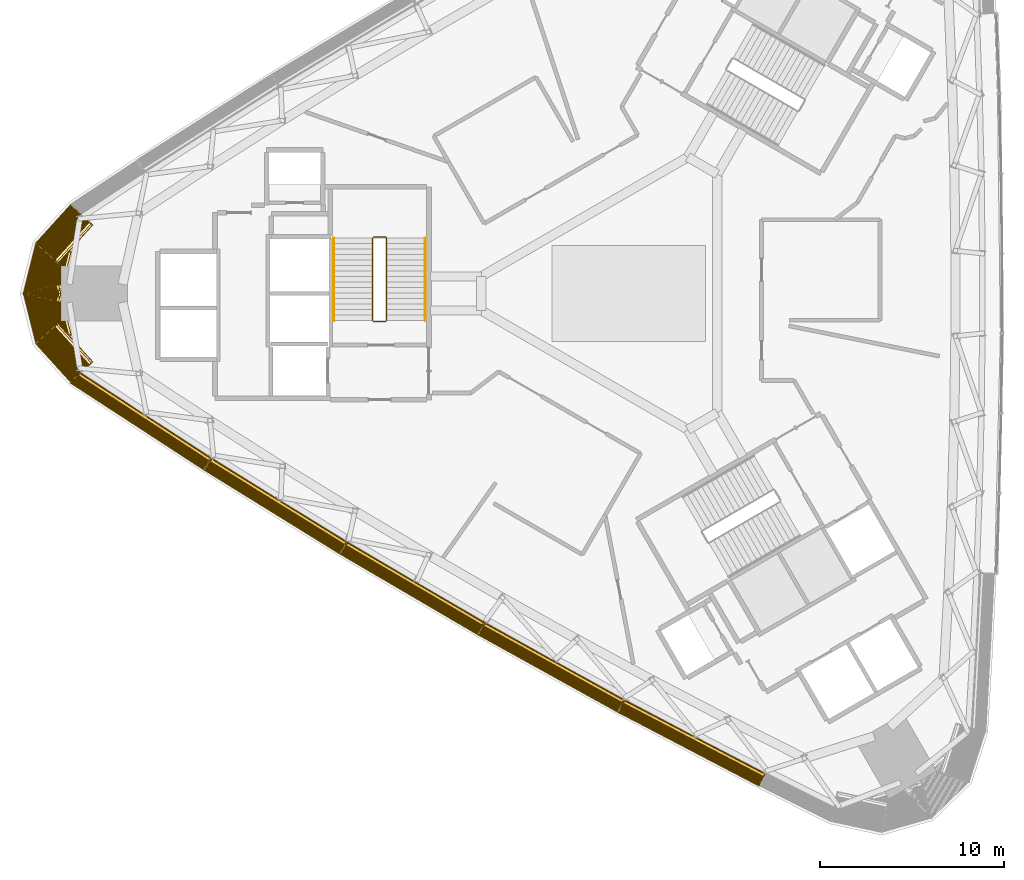
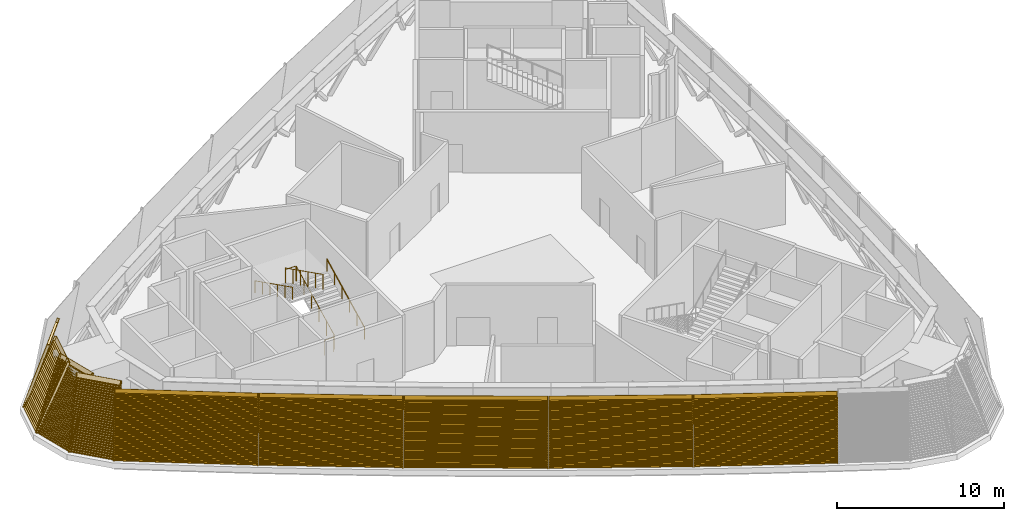
# One storey, part 14 of 18: 9 coverings, 3 railings.
"""IFC4 building model written with IfcOpenShell, lengths in metres."""

import ifcopenshell
import ifcopenshell.guid

model = None  # the IFC model being written
_history = None  # IfcOwnerHistory: only IFC2X3 demands one
_inside = {}  # id of a spatial element -> (the spatial element, [elements in it])
_under = {}  # id of a project, library or spatial element -> (it, [spatial elements below it])
_declared = {}  # id of a project -> (the project, [libraries it declares])
_typed = {}  # id of a type object -> (the type object, [elements of that type])
_made_of = {}  # id of a material, layer set ... -> (it, [elements and type objects made of it])


def new_model(schema):
    """Start an empty IFC model of exactly this schema.

    Asked for "IFC4X3", IfcOpenShell would pick the latest addendum, in which some entities
    have other attributes; the version numbers below select the first issue.
    IFC2X3 requires an IfcOwnerHistory on every rooted entity: one is made here for all.
    """
    global model, _history
    if schema == "IFC4X3":
        model = ifcopenshell.file(schema_version=(4, 3, 0, 0))
    else:
        model = ifcopenshell.file(schema=schema)
    _inside.clear()
    _under.clear()
    _declared.clear()
    _typed.clear()
    _made_of.clear()
    _history = None
    if model.schema == "IFC2X3":
        org = make("IfcOrganization", Name="unknown")
        user = make(
            "IfcPersonAndOrganization",
            ThePerson=make("IfcPerson", FamilyName="unknown"),
            TheOrganization=org,
        )
        app = make(
            "IfcApplication",
            ApplicationDeveloper=org,
            Version="unknown",
            ApplicationFullName="unknown",
            ApplicationIdentifier="unknown",
        )
        _history = make(
            "IfcOwnerHistory",
            OwningUser=user,
            OwningApplication=app,
            ChangeAction="ADDED",
            CreationDate=0,
        )
    return model


def make(cls, **values):
    """One entity of the class cls with the attributes given. An attribute that is None is left unset."""
    return model.create_entity(
        cls, **{name: value for name, value in values.items() if value is not None}
    )


def rooted(cls, **values):
    """An entity with a GlobalId (a new one), such as an element, a storey or a relation."""
    return make(cls, GlobalId=ifcopenshell.guid.new(), OwnerHistory=_history, **values)


def si_unit(unit_type, name, prefix=None):
    """IfcSIUnit, for example si_unit("LENGTHUNIT", "METRE", prefix="MILLI")."""
    return make("IfcSIUnit", UnitType=unit_type, Prefix=prefix, Name=name)


def assignment(units):
    """IfcUnitAssignment: the units of a project."""
    return None if units is None else make("IfcUnitAssignment", Units=units)


def point(xyz):
    """IfcCartesianPoint."""
    return None if xyz is None else make("IfcCartesianPoint", Coordinates=xyz)


def direction(xyz):
    """IfcDirection."""
    return None if xyz is None else make("IfcDirection", DirectionRatios=xyz)


def frame(location, z_axis=None, x_axis=None):
    """IfcAxis2Placement3D, a coordinate frame: its origin and axes. An axis left out is left unset."""
    return make(
        "IfcAxis2Placement3D",
        Location=point(location),
        Axis=direction(z_axis),
        RefDirection=direction(x_axis),
    )


def frame_2d(location, x_axis=None):
    """IfcAxis2Placement2D, a coordinate frame in the plane: its origin and x axis."""
    return make(
        "IfcAxis2Placement2D", Location=point(location), RefDirection=direction(x_axis)
    )


def origin():
    """The frame at (0, 0, 0) with its axes left unset."""
    return frame((0.0, 0.0, 0.0))


def origin_2d():
    """The frame at (0, 0) in the plane with its x axis left unset."""
    return frame_2d((0.0, 0.0))


def place(relative_to, where):
    """IfcLocalPlacement: puts the frame where relative to a parent placement (None: the world)."""
    return make(
        "IfcLocalPlacement", PlacementRelTo=relative_to, RelativePlacement=where
    )


def context(
    kind, dimensions, precision=None, world=None, true_north=None, identifier=None
):
    """IfcGeometricRepresentationContext, for example the 3D "Model" context."""
    return make(
        "IfcGeometricRepresentationContext",
        ContextIdentifier=identifier,
        ContextType=kind,
        CoordinateSpaceDimension=dimensions,
        Precision=precision,
        WorldCoordinateSystem=world,
        TrueNorth=true_north,
    )


def subcontext(parent, identifier, kind, view, scale=None):
    """IfcGeometricRepresentationSubContext, for example "Body" below "Model"."""
    return make(
        "IfcGeometricRepresentationSubContext",
        ContextIdentifier=identifier,
        ContextType=kind,
        ParentContext=parent,
        TargetScale=scale,
        TargetView=view,
    )


def project(units=None, contexts=None):
    """IfcProject with its units and contexts."""
    return rooted(
        "IfcProject",
        Name="project",
        RepresentationContexts=contexts,
        UnitsInContext=assignment(units),
    )


def spatial(cls, under=None, at=None, **own):
    """A site, building, storey or space (cls), placed at a placement, below another one or the project."""
    s = rooted(cls, ObjectPlacement=at, **own)
    if under is not None:
        _under.setdefault(under.id(), (under, []))[1].append(s)
    return s


def profile(cls, at=None, kind="AREA", **sizes):
    """A parametric profile (cls). Its sizes go by their IFC names, for example OverallWidth=200.0."""
    return make(cls, ProfileType=kind, Position=at, **sizes)


def rectangle(**sizes):
    """IfcRectangleProfileDef."""
    return profile("IfcRectangleProfileDef", **sizes)


def circle(**sizes):
    """IfcCircleProfileDef."""
    return profile("IfcCircleProfileDef", **sizes)


def extrude(swept, where, along, depth):
    """IfcExtrudedAreaSolid: the profile swept, set in the frame where, extruded along a direction by depth."""
    return make(
        "IfcExtrudedAreaSolid",
        SweptArea=swept,
        Position=where,
        ExtrudedDirection=direction(along),
        Depth=depth,
    )


def shape(context_of_items, identifier, shape_type, items):
    """IfcShapeRepresentation: the items that make up one representation, for example the "Body"."""
    return make(
        "IfcShapeRepresentation",
        ContextOfItems=context_of_items,
        RepresentationIdentifier=identifier,
        RepresentationType=shape_type,
        Items=items,
    )


def source(mapping_origin, context_of_items, identifier, shape_type, items):
    """IfcRepresentationMap: a shape defined once, which mapped items show again and again."""
    return make(
        "IfcRepresentationMap",
        MappingOrigin=mapping_origin,
        MappedRepresentation=shape(context_of_items, identifier, shape_type, items),
    )


def transform(
    local_origin,
    x_axis=None,
    y_axis=None,
    z_axis=None,
    scale=None,
    scale2=None,
    scale3=None,
    uniform=True,
):
    """IfcCartesianTransformationOperator3D, or its non-uniform kind. x_axis, y_axis, z_axis: its Axis1, 2, 3."""
    if uniform:
        return make(
            "IfcCartesianTransformationOperator3D",
            Axis1=direction(x_axis),
            Axis2=direction(y_axis),
            LocalOrigin=point(local_origin),
            Scale=scale,
            Axis3=direction(z_axis),
        )
    return make(
        "IfcCartesianTransformationOperator3DnonUniform",
        Axis1=direction(x_axis),
        Axis2=direction(y_axis),
        LocalOrigin=point(local_origin),
        Scale=scale,
        Axis3=direction(z_axis),
        Scale2=scale2,
        Scale3=scale3,
    )


def mapped(mapping_source, mapping_target):
    """IfcMappedItem: shows the shape of a source again, moved by a transform."""
    return make(
        "IfcMappedItem", MappingSource=mapping_source, MappingTarget=mapping_target
    )


def material(Name=None, Category=None):
    """IfcMaterial."""
    return make("IfcMaterial", Name=Name, Category=Category)


def made_of(thing, what):
    """Note that an element or type object is made of a material, layer set ...; save() writes the relation."""
    if what is not None:
        _made_of.setdefault(what.id(), (what, []))[1].append(thing)
    return thing


def type_object(cls, material=None, **own):
    """A type object (cls), such as IfcWallType, which elements share."""
    return made_of(rooted(cls, **own), material)


def element(
    cls,
    number,
    at=None,
    inside=None,
    cuts=None,
    type_object=None,
    material=None,
    context=None,
    identifier="Body",
    shape_type=None,
    held_by="IfcProductDefinitionShape",
    body=None,
    shapes=None,
    **own,
):
    """One element of the class cls, such as IfcWall. Its Tag is "e" and its number.

    at: its placement. inside: the storey or other place that contains it. cuts: it is an
    opening in that element (IfcRelVoidsElement). A single representation is given by context,
    identifier, shape_type and body (its items); several are given by shapes. held_by: the class
    of the entity that holds the representations. save() writes the other relations.
    """
    e = rooted(cls, Tag="e%d" % number, ObjectPlacement=at, **own)
    if body is not None:
        shapes = [shape(context, identifier, shape_type, body)]
    if shapes is not None:
        e.Representation = make(held_by, Representations=shapes)
    if inside is not None:
        _inside.setdefault(inside.id(), (inside, []))[1].append(e)
    if cuts is not None:
        rooted(
            "IfcRelVoidsElement", RelatingBuildingElement=cuts, RelatedOpeningElement=e
        )
    if type_object is not None:
        _typed.setdefault(type_object.id(), (type_object, []))[1].append(e)
    return made_of(e, material)


def aggregate(whole, parts):
    """IfcRelAggregates: a whole, such as a stair, and the parts it consists of."""
    return rooted("IfcRelAggregates", RelatingObject=whole, RelatedObjects=parts)


def save(model, path):
    """Write the relations noted so far, then the file.

    IfcRelAggregates (storeys below a building ...), IfcRelContainedInSpatialStructure (elements
    in a storey), IfcRelDefinesByType, IfcRelAssociatesMaterial and IfcRelDeclares: one each for
    every whole, place, type object, material and project.
    """
    for whole, parts in _under.values():
        aggregate(whole, parts)
    for where, things in _inside.values():
        rooted(
            "IfcRelContainedInSpatialStructure",
            RelatedElements=things,
            RelatingStructure=where,
        )
    for kind, things in _typed.values():
        rooted("IfcRelDefinesByType", RelatedObjects=things, RelatingType=kind)
    for what, things in _made_of.values():
        rooted("IfcRelAssociatesMaterial", RelatedObjects=things, RelatingMaterial=what)
    for by, libraries in _declared.values():
        rooted("IfcRelDeclares", RelatingContext=by, RelatedDefinitions=libraries)
    model.write(path)


model = new_model("IFC4")

# Units and contexts
model_context = context("Model", 3, precision=1e-05, world=origin(), true_north=direction((0.0, 1.0)))
body_context = subcontext(model_context, "Body", "Model", "MODEL_VIEW")
ifc_project = project(units=[si_unit("LENGTHUNIT", "METRE"), si_unit("AREAUNIT", "SQUARE_METRE"), si_unit("VOLUMEUNIT", "CUBIC_METRE"), si_unit("PLANEANGLEUNIT", "RADIAN"), si_unit("MASSUNIT", "GRAM", prefix="KILO")], contexts=[model_context])

# Site, building, storey
site_placement = place(None, origin())
site = spatial("IfcSite", under=ifc_project, at=site_placement, CompositionType="ELEMENT")
building_placement = place(site_placement, origin())
building = spatial("IfcBuilding", under=site, at=building_placement, Name="Tamra Quay Hotel Tower", CompositionType="ELEMENT")
storey_placement = place(building_placement, frame((0.0, 0.0, 164.800048828125)))
storey = spatial("IfcBuildingStorey", under=building, at=storey_placement, Name="L41", CompositionType="ELEMENT", Elevation=164.800048828125)

# Railings
ifc_material_1 = material(Name="Stair guard 1100")
railing_type_1 = type_object("IfcRailingType", Name="Stair guard 1100", PredefinedType="GUARDRAIL", material=ifc_material_1)
railing_1_placement = place(storey_placement, frame((-13.84130859375, -1.530029296875, 0.0)))
element("IfcRailing", 1, at=railing_1_placement, inside=storey, type_object=railing_type_1, Name="GR", PredefinedType="GUARDRAIL", context=body_context, shape_type="SweptSolid", body=[
    extrude(circle(Radius=0.02392578125, at=origin_2d()), frame((0.0, 0.0, 1.076171875), z_axis=(1.0, 0.0, 0.0), x_axis=(0.0, 1.0, 0.0)), (0.0, 0.0, 1.0), 0.658935546875),
    extrude(circle(Radius=0.02392578125, at=origin_2d()), frame((0.658935546875, 0.0, 1.076171875), z_axis=(0.301912943143, 0.301912943143, 0.904266083366), x_axis=(-0.707106781187, 0.707106781187, 0.0)), (0.0, 0.0, 1.0), 0.165771484375),
    extrude(circle(Radius=0.02392578125, at=origin_2d()), frame((0.708984375, 0.050048828125, 1.22607421875), z_axis=(0.0, 0.893823034308, 0.448419873935), x_axis=(-1.0, 0.0, 0.0)), (0.0, 0.0, 1.0), 5.017578125),
    extrude(circle(Radius=0.02392578125, at=origin_2d()), frame((0.708984375, 4.534912109375, 3.47607421875), z_axis=(-0.707106781187, 0.707106781187, 0.0), x_axis=(-0.707106781187, -0.707106781187, 0.0)), (0.0, 0.0, 1.0), 0.07080078125),
    extrude(circle(Radius=0.02392578125, at=origin_2d()), frame((0.658935546875, 4.5849609375, 3.47607421875), z_axis=(-1.0, 0.0, 0.0), x_axis=(0.0, -1.0, 0.0)), (0.0, 0.0, 1.0), 0.658935546875),
    extrude(circle(Radius=0.02392578125, at=origin_2d()), frame((0.0, 4.5849609375, 3.47607421875), z_axis=(-0.301511344578, -0.301511344578, 0.904534033733), x_axis=(0.707106781187, -0.707106781187, 0.0)), (0.0, 0.0, 1.0), 0.166015625),
    extrude(circle(Radius=0.02392578125, at=origin_2d()), frame((-0.050048828125, 4.534912109375, 3.6259765625), z_axis=(0.0, -0.893823034308, 0.448419873935), x_axis=(1.0, 0.0, 0.0)), (0.0, 0.0, 1.0), 5.017578125),
    extrude(circle(Radius=0.02099609375, at=origin_2d()), origin(), (0.0, 0.0, 1.0), 1.052001953125),
    extrude(circle(Radius=0.02099609375, at=origin_2d()), frame((0.658935546875, 0.0, 0.0)), (0.0, 0.0, 1.0), 1.052001953125),
    extrude(circle(Radius=0.02099609375, at=origin_2d()), frame((0.708984375, 0.050048828125, 0.14990234375)), (0.0, 0.0, 1.0), 1.052001953125),
    extrude(circle(Radius=0.02099609375, at=origin_2d()), frame((0.708984375, 0.947021484375, 0.599853515625)), (0.0, 0.0, 1.0), 1.052001953125),
    extrude(circle(Radius=0.02099609375, at=origin_2d()), frame((0.708984375, 1.843994140625, 1.0498046875)), (0.0, 0.0, 1.0), 1.052001953125),
    extrude(circle(Radius=0.02099609375, at=origin_2d()), frame((0.708984375, 2.740966796875, 1.5)), (0.0, 0.0, 1.0), 1.052001953125),
    extrude(circle(Radius=0.02099609375, at=origin_2d()), frame((0.708984375, 3.637939453125, 1.949951171875)), (0.0, 0.0, 1.0), 1.052001953125),
    extrude(circle(Radius=0.02099609375, at=origin_2d()), frame((0.708984375, 4.534912109375, 2.39990234375)), (0.0, 0.0, 1.0), 1.052001953125),
    extrude(circle(Radius=0.02099609375, at=origin_2d()), frame((0.658935546875, 4.5849609375, 2.39990234375)), (0.0, 0.0, 1.0), 1.052001953125),
    extrude(circle(Radius=0.02099609375, at=origin_2d()), frame((0.0, 4.5849609375, 2.39990234375)), (0.0, 0.0, 1.0), 1.052001953125),
    extrude(circle(Radius=0.02099609375, at=origin_2d()), frame((-0.050048828125, 4.534912109375, 2.550048828125)), (0.0, 0.0, 1.0), 1.052001953125),
    extrude(circle(Radius=0.02099609375, at=origin_2d()), frame((-0.050048828125, 3.637939453125, 3.0)), (0.0, 0.0, 1.0), 1.052001953125),
    extrude(circle(Radius=0.02099609375, at=origin_2d()), frame((-0.050048828125, 2.740966796875, 3.449951171875)), (0.0, 0.0, 1.0), 1.052001953125),
    extrude(circle(Radius=0.02099609375, at=origin_2d()), frame((-0.050048828125, 1.843994140625, 3.900146484375)), (0.0, 0.0, 1.0), 1.052001953125),
    extrude(circle(Radius=0.02099609375, at=origin_2d()), frame((-0.050048828125, 0.947021484375, 4.35009765625)), (0.0, 0.0, 1.0), 1.052001953125),
    extrude(circle(Radius=0.02099609375, at=origin_2d()), frame((-0.050048828125, 0.050048828125, 4.800048828125)), (0.0, 0.0, 1.0), 1.052001953125),
])
ifc_material_2 = material(Name="Stair handrail 900")
railing_type_2 = type_object("IfcRailingType", Name="Stair handrail 900", PredefinedType="HANDRAIL", material=ifc_material_2)
railing_2_placement = place(storey_placement, frame((-11.0322265625, -1.47998046875, 0.14990234375)))
element("IfcRailing", 2, at=railing_2_placement, inside=storey, type_object=railing_type_2, Name="HR", PredefinedType="HANDRAIL", context=body_context, shape_type="SweptSolid", body=[
    extrude(circle(Radius=0.02392578125, at=origin_2d()), frame((0.0, 0.0, 0.8759765625), z_axis=(0.0, 0.893823034308, 0.448419873935), x_axis=(-1.0, 0.0, 0.0)), (0.0, 0.0, 1.0), 5.017578125),
    extrude(circle(Radius=0.02099609375, at=origin_2d()), origin(), (0.0, 0.0, 1.0), 0.851806640625),
    extrude(circle(Radius=0.02099609375, at=origin_2d()), frame((0.0, 0.89697265625, 0.449951171875)), (0.0, 0.0, 1.0), 0.851806640625),
    extrude(circle(Radius=0.02099609375, at=origin_2d()), frame((0.0, 1.7939453125, 0.89990234375)), (0.0, 0.0, 1.0), 0.851806640625),
    extrude(circle(Radius=0.02099609375, at=origin_2d()), frame((0.0, 2.69091796875, 1.35009765625)), (0.0, 0.0, 1.0), 0.851806640625),
    extrude(circle(Radius=0.02099609375, at=origin_2d()), frame((0.0, 3.587890625, 1.800048828125)), (0.0, 0.0, 1.0), 0.851806640625),
    extrude(circle(Radius=0.02099609375, at=origin_2d()), frame((0.0, 4.48486328125, 2.25)), (0.0, 0.0, 1.0), 0.851806640625),
])
railing_3_placement = place(storey_placement, frame((-15.9912109375, 3.0048828125, 2.550048828125)))
element("IfcRailing", 3, at=railing_3_placement, inside=storey, type_object=railing_type_2, Name="HR", PredefinedType="HANDRAIL", context=body_context, shape_type="SweptSolid", body=[
    extrude(circle(Radius=0.02392578125, at=origin_2d()), frame((0.0, 0.0, 0.8759765625), z_axis=(0.0, -0.893823034308, 0.448419873935), x_axis=(1.0, 0.0, 0.0)), (0.0, 0.0, 1.0), 5.017578125),
    extrude(circle(Radius=0.02099609375, at=origin_2d()), origin(), (0.0, 0.0, 1.0), 0.851806640625),
    extrude(circle(Radius=0.02099609375, at=origin_2d()), frame((0.0, -0.89697265625, 0.449951171875)), (0.0, 0.0, 1.0), 0.851806640625),
    extrude(circle(Radius=0.02099609375, at=origin_2d()), frame((0.0, -1.7939453125, 0.89990234375)), (0.0, 0.0, 1.0), 0.851806640625),
    extrude(circle(Radius=0.02099609375, at=origin_2d()), frame((0.0, -2.69091796875, 1.35009765625)), (0.0, 0.0, 1.0), 0.851806640625),
    extrude(circle(Radius=0.02099609375, at=origin_2d()), frame((0.0, -3.587890625, 1.800048828125)), (0.0, 0.0, 1.0), 0.851806640625),
    extrude(circle(Radius=0.02099609375, at=origin_2d()), frame((0.0, -4.48486328125, 2.25)), (0.0, 0.0, 1.0), 0.851806640625),
])

# Coverings
ifc_material_3 = material(Name="Terracotta louvre panel", Category="masonry")
covering_type_1 = type_object("IfcCoveringType", Name="PLANT LOUVRE H4841", PredefinedType="USERDEFINED", material=ifc_material_3)
shared_shape_1 = source(origin(), body_context, "Body", "SweptSolid", [
    extrude(rectangle(XDim=8.639892578125, YDim=0.030029296875, at=frame_2d((4.31982421875, 0.01513671875))), frame((-4.320068359375, -0.030029296875, 0.0)), (0.0, 0.0, 1.0), 4.841064453125),
    extrude(rectangle(XDim=0.050048828125, YDim=0.139892578125, at=frame_2d((0.02490234375, 0.06982421875))), frame((-4.320068359375, -0.169921875, 0.0)), (0.0, 0.0, 1.0), 4.841064453125),
    extrude(rectangle(XDim=0.050048828125, YDim=0.139892578125, at=frame_2d((0.02490234375, 0.06982421875))), frame((4.27001953125, -0.169921875, 0.0)), (0.0, 0.0, 1.0), 4.841064453125),
    extrude(rectangle(XDim=8.5400390625, YDim=0.139892578125, at=frame_2d((4.27001953125, 0.06982421875))), frame((-4.27001953125, -0.169921875, 0.050048828125)), (0.0, 0.0, 1.0), 0.034912109375),
    extrude(rectangle(XDim=8.5400390625, YDim=0.139892578125, at=frame_2d((4.27001953125, 0.06982421875))), frame((-4.27001953125, -0.169921875, 0.2099609375)), (0.0, 0.0, 1.0), 0.034912109375),
    extrude(rectangle(XDim=8.5400390625, YDim=0.139892578125, at=frame_2d((4.27001953125, 0.06982421875))), frame((-4.27001953125, -0.169921875, 0.3701171875)), (0.0, 0.0, 1.0), 0.034912109375),
    extrude(rectangle(XDim=8.5400390625, YDim=0.139892578125, at=frame_2d((4.27001953125, 0.06982421875))), frame((-4.27001953125, -0.169921875, 0.530029296875)), (0.0, 0.0, 1.0), 0.034912109375),
    extrude(rectangle(XDim=8.5400390625, YDim=0.139892578125, at=frame_2d((4.27001953125, 0.06982421875))), frame((-4.27001953125, -0.169921875, 0.68994140625)), (0.0, 0.0, 1.0), 0.034912109375),
    extrude(rectangle(XDim=8.5400390625, YDim=0.139892578125, at=frame_2d((4.27001953125, 0.06982421875))), frame((-4.27001953125, -0.169921875, 0.85009765625)), (0.0, 0.0, 1.0), 0.034912109375),
    extrude(rectangle(XDim=8.5400390625, YDim=0.139892578125, at=frame_2d((4.27001953125, 0.06982421875))), frame((-4.27001953125, -0.169921875, 1.010009765625)), (0.0, 0.0, 1.0), 0.034912109375),
    extrude(rectangle(XDim=8.5400390625, YDim=0.139892578125, at=frame_2d((4.27001953125, 0.06982421875))), frame((-4.27001953125, -0.169921875, 1.169921875)), (0.0, 0.0, 1.0), 0.034912109375),
    extrude(rectangle(XDim=8.5400390625, YDim=0.139892578125, at=frame_2d((4.27001953125, 0.06982421875))), frame((-4.27001953125, -0.169921875, 1.330078125)), (0.0, 0.0, 1.0), 0.034912109375),
    extrude(rectangle(XDim=8.5400390625, YDim=0.139892578125, at=frame_2d((4.27001953125, 0.06982421875))), frame((-4.27001953125, -0.169921875, 1.489990234375)), (0.0, 0.0, 1.0), 0.034912109375),
    extrude(rectangle(XDim=8.5400390625, YDim=0.139892578125, at=frame_2d((4.27001953125, 0.06982421875))), frame((-4.27001953125, -0.169921875, 1.64990234375)), (0.0, 0.0, 1.0), 0.034912109375),
    extrude(rectangle(XDim=8.5400390625, YDim=0.139892578125, at=frame_2d((4.27001953125, 0.06982421875))), frame((-4.27001953125, -0.169921875, 1.81005859375)), (0.0, 0.0, 1.0), 0.034912109375),
    extrude(rectangle(XDim=8.5400390625, YDim=0.139892578125, at=frame_2d((4.27001953125, 0.06982421875))), frame((-4.27001953125, -0.169921875, 1.969970703125)), (0.0, 0.0, 1.0), 0.034912109375),
    extrude(rectangle(XDim=8.5400390625, YDim=0.139892578125, at=frame_2d((4.27001953125, 0.06982421875))), frame((-4.27001953125, -0.169921875, 2.1298828125)), (0.0, 0.0, 1.0), 0.034912109375),
    extrude(rectangle(XDim=8.5400390625, YDim=0.139892578125, at=frame_2d((4.27001953125, 0.06982421875))), frame((-4.27001953125, -0.169921875, 2.2900390625)), (0.0, 0.0, 1.0), 0.034912109375),
    extrude(rectangle(XDim=8.5400390625, YDim=0.139892578125, at=frame_2d((4.27001953125, 0.06982421875))), frame((-4.27001953125, -0.169921875, 2.449951171875)), (0.0, 0.0, 1.0), 0.034912109375),
    extrude(rectangle(XDim=8.5400390625, YDim=0.139892578125, at=frame_2d((4.27001953125, 0.06982421875))), frame((-4.27001953125, -0.169921875, 2.610107421875)), (0.0, 0.0, 1.0), 0.034912109375),
    extrude(rectangle(XDim=8.5400390625, YDim=0.139892578125, at=frame_2d((4.27001953125, 0.06982421875))), frame((-4.27001953125, -0.169921875, 2.77001953125)), (0.0, 0.0, 1.0), 0.034912109375),
    extrude(rectangle(XDim=8.5400390625, YDim=0.139892578125, at=frame_2d((4.27001953125, 0.06982421875))), frame((-4.27001953125, -0.169921875, 2.929931640625)), (0.0, 0.0, 1.0), 0.034912109375),
    extrude(rectangle(XDim=8.5400390625, YDim=0.139892578125, at=frame_2d((4.27001953125, 0.06982421875))), frame((-4.27001953125, -0.169921875, 3.090087890625)), (0.0, 0.0, 1.0), 0.034912109375),
    extrude(rectangle(XDim=8.5400390625, YDim=0.139892578125, at=frame_2d((4.27001953125, 0.06982421875))), frame((-4.27001953125, -0.169921875, 3.25)), (0.0, 0.0, 1.0), 0.034912109375),
    extrude(rectangle(XDim=8.5400390625, YDim=0.139892578125, at=frame_2d((4.27001953125, 0.06982421875))), frame((-4.27001953125, -0.169921875, 3.409912109375)), (0.0, 0.0, 1.0), 0.034912109375),
    extrude(rectangle(XDim=8.5400390625, YDim=0.139892578125, at=frame_2d((4.27001953125, 0.06982421875))), frame((-4.27001953125, -0.169921875, 3.570068359375)), (0.0, 0.0, 1.0), 0.034912109375),
    extrude(rectangle(XDim=8.5400390625, YDim=0.139892578125, at=frame_2d((4.27001953125, 0.06982421875))), frame((-4.27001953125, -0.169921875, 3.72998046875)), (0.0, 0.0, 1.0), 0.034912109375),
    extrude(rectangle(XDim=8.5400390625, YDim=0.139892578125, at=frame_2d((4.27001953125, 0.06982421875))), frame((-4.27001953125, -0.169921875, 3.889892578125)), (0.0, 0.0, 1.0), 0.034912109375),
    extrude(rectangle(XDim=8.5400390625, YDim=0.139892578125, at=frame_2d((4.27001953125, 0.06982421875))), frame((-4.27001953125, -0.169921875, 4.050048828125)), (0.0, 0.0, 1.0), 0.034912109375),
    extrude(rectangle(XDim=8.5400390625, YDim=0.139892578125, at=frame_2d((4.27001953125, 0.06982421875))), frame((-4.27001953125, -0.169921875, 4.2099609375)), (0.0, 0.0, 1.0), 0.034912109375),
    extrude(rectangle(XDim=8.5400390625, YDim=0.139892578125, at=frame_2d((4.27001953125, 0.06982421875))), frame((-4.27001953125, -0.169921875, 4.3701171875)), (0.0, 0.0, 1.0), 0.034912109375),
    extrude(rectangle(XDim=8.5400390625, YDim=0.139892578125, at=frame_2d((4.27001953125, 0.06982421875))), frame((-4.27001953125, -0.169921875, 4.530029296875)), (0.0, 0.0, 1.0), 0.034912109375),
])
for number, where, z_axis, x_axis, name in (
    (4, (-26.5888671875, -7.085205078125, 0.0), (0.07123863879, 0.109371583141, 0.991444861374), (0.837928244751, -0.545780410649, 0.0), "Plant louvre L41.SW.f00"),
    (5, (-19.273681640625, -11.726806640625, 0.0), (0.06861056522, 0.111039079587, 0.991444861374), (0.850703431233, -0.52564595698, 0.0), "Plant louvre L41.SW.f02"),
    (6, (-11.849609375, -16.1923828125, 0.0), (0.065937722821, 0.112646808941, 0.991444861374), (0.863020724232, -0.505168515988, 0.0), "Plant louvre L41.SW.f04"),
    (7, (-4.321044921875, -20.479248046875, 0.0), (0.063226115616, 0.114190827826, 0.991444861374), (0.874849912373, -0.484394086277, 0.0), "Plant louvre L41.SW.f06"),
    (8, (3.307861328125, -24.584716796875, 0.0), (0.060481465979, 0.115667969328, 0.991444861374), (0.886166732981, -0.463366508672, 0.0), "Plant louvre L41.SW.f08"),
):
    element("IfcCovering", number, at=place(storey_placement, frame(where, z_axis=z_axis, x_axis=x_axis)), inside=storey, type_object=covering_type_1, Name=name, ObjectType="LOUVER", PredefinedType="USERDEFINED", context=body_context, shape_type="MappedRepresentation", body=[
        mapped(shared_shape_1, transform((0.0, 0.0, 0.0), scale=1.0)),
    ])
covering_type_2 = type_object("IfcCoveringType", Name="PLANT LOUVRE H5033", PredefinedType="USERDEFINED", material=ifc_material_3)
shared_shape_2 = source(origin(), body_context, "Body", "SweptSolid", [
    extrude(rectangle(XDim=2.860107421875, YDim=0.030029296875, at=frame_2d((1.43017578125, 0.01513671875))), frame((-1.429931640625, -0.030029296875, 0.0)), (0.0, 0.0, 1.0), 5.032958984375),
    extrude(rectangle(XDim=0.050048828125, YDim=0.139892578125, at=frame_2d((0.02490234375, 0.06982421875))), frame((-1.429931640625, -0.169921875, 0.0)), (0.0, 0.0, 1.0), 5.032958984375),
    extrude(rectangle(XDim=0.050048828125, YDim=0.139892578125, at=frame_2d((0.02490234375, 0.06982421875))), frame((1.3798828125, -0.169921875, 0.0)), (0.0, 0.0, 1.0), 5.032958984375),
    extrude(rectangle(XDim=2.760009765625, YDim=0.139892578125, at=frame_2d((1.3798828125, 0.06982421875))), frame((-1.3798828125, -0.169921875, 0.050048828125)), (0.0, 0.0, 1.0), 0.034912109375),
    extrude(rectangle(XDim=2.760009765625, YDim=0.139892578125, at=frame_2d((1.3798828125, 0.06982421875))), frame((-1.3798828125, -0.169921875, 0.2099609375)), (0.0, 0.0, 1.0), 0.034912109375),
    extrude(rectangle(XDim=2.760009765625, YDim=0.139892578125, at=frame_2d((1.3798828125, 0.06982421875))), frame((-1.3798828125, -0.169921875, 0.3701171875)), (0.0, 0.0, 1.0), 0.034912109375),
    extrude(rectangle(XDim=2.760009765625, YDim=0.139892578125, at=frame_2d((1.3798828125, 0.06982421875))), frame((-1.3798828125, -0.169921875, 0.530029296875)), (0.0, 0.0, 1.0), 0.034912109375),
    extrude(rectangle(XDim=2.760009765625, YDim=0.139892578125, at=frame_2d((1.3798828125, 0.06982421875))), frame((-1.3798828125, -0.169921875, 0.68994140625)), (0.0, 0.0, 1.0), 0.034912109375),
    extrude(rectangle(XDim=2.760009765625, YDim=0.139892578125, at=frame_2d((1.3798828125, 0.06982421875))), frame((-1.3798828125, -0.169921875, 0.85009765625)), (0.0, 0.0, 1.0), 0.034912109375),
    extrude(rectangle(XDim=2.760009765625, YDim=0.139892578125, at=frame_2d((1.3798828125, 0.06982421875))), frame((-1.3798828125, -0.169921875, 1.010009765625)), (0.0, 0.0, 1.0), 0.034912109375),
    extrude(rectangle(XDim=2.760009765625, YDim=0.139892578125, at=frame_2d((1.3798828125, 0.06982421875))), frame((-1.3798828125, -0.169921875, 1.169921875)), (0.0, 0.0, 1.0), 0.034912109375),
    extrude(rectangle(XDim=2.760009765625, YDim=0.139892578125, at=frame_2d((1.3798828125, 0.06982421875))), frame((-1.3798828125, -0.169921875, 1.330078125)), (0.0, 0.0, 1.0), 0.034912109375),
    extrude(rectangle(XDim=2.760009765625, YDim=0.139892578125, at=frame_2d((1.3798828125, 0.06982421875))), frame((-1.3798828125, -0.169921875, 1.489990234375)), (0.0, 0.0, 1.0), 0.034912109375),
    extrude(rectangle(XDim=2.760009765625, YDim=0.139892578125, at=frame_2d((1.3798828125, 0.06982421875))), frame((-1.3798828125, -0.169921875, 1.64990234375)), (0.0, 0.0, 1.0), 0.034912109375),
    extrude(rectangle(XDim=2.760009765625, YDim=0.139892578125, at=frame_2d((1.3798828125, 0.06982421875))), frame((-1.3798828125, -0.169921875, 1.81005859375)), (0.0, 0.0, 1.0), 0.034912109375),
    extrude(rectangle(XDim=2.760009765625, YDim=0.139892578125, at=frame_2d((1.3798828125, 0.06982421875))), frame((-1.3798828125, -0.169921875, 1.969970703125)), (0.0, 0.0, 1.0), 0.034912109375),
    extrude(rectangle(XDim=2.760009765625, YDim=0.139892578125, at=frame_2d((1.3798828125, 0.06982421875))), frame((-1.3798828125, -0.169921875, 2.1298828125)), (0.0, 0.0, 1.0), 0.034912109375),
    extrude(rectangle(XDim=2.760009765625, YDim=0.139892578125, at=frame_2d((1.3798828125, 0.06982421875))), frame((-1.3798828125, -0.169921875, 2.2900390625)), (0.0, 0.0, 1.0), 0.034912109375),
    extrude(rectangle(XDim=2.760009765625, YDim=0.139892578125, at=frame_2d((1.3798828125, 0.06982421875))), frame((-1.3798828125, -0.169921875, 2.449951171875)), (0.0, 0.0, 1.0), 0.034912109375),
    extrude(rectangle(XDim=2.760009765625, YDim=0.139892578125, at=frame_2d((1.3798828125, 0.06982421875))), frame((-1.3798828125, -0.169921875, 2.610107421875)), (0.0, 0.0, 1.0), 0.034912109375),
    extrude(rectangle(XDim=2.760009765625, YDim=0.139892578125, at=frame_2d((1.3798828125, 0.06982421875))), frame((-1.3798828125, -0.169921875, 2.77001953125)), (0.0, 0.0, 1.0), 0.034912109375),
    extrude(rectangle(XDim=2.760009765625, YDim=0.139892578125, at=frame_2d((1.3798828125, 0.06982421875))), frame((-1.3798828125, -0.169921875, 2.929931640625)), (0.0, 0.0, 1.0), 0.034912109375),
    extrude(rectangle(XDim=2.760009765625, YDim=0.139892578125, at=frame_2d((1.3798828125, 0.06982421875))), frame((-1.3798828125, -0.169921875, 3.090087890625)), (0.0, 0.0, 1.0), 0.034912109375),
    extrude(rectangle(XDim=2.760009765625, YDim=0.139892578125, at=frame_2d((1.3798828125, 0.06982421875))), frame((-1.3798828125, -0.169921875, 3.25)), (0.0, 0.0, 1.0), 0.034912109375),
    extrude(rectangle(XDim=2.760009765625, YDim=0.139892578125, at=frame_2d((1.3798828125, 0.06982421875))), frame((-1.3798828125, -0.169921875, 3.409912109375)), (0.0, 0.0, 1.0), 0.034912109375),
    extrude(rectangle(XDim=2.760009765625, YDim=0.139892578125, at=frame_2d((1.3798828125, 0.06982421875))), frame((-1.3798828125, -0.169921875, 3.570068359375)), (0.0, 0.0, 1.0), 0.034912109375),
    extrude(rectangle(XDim=2.760009765625, YDim=0.139892578125, at=frame_2d((1.3798828125, 0.06982421875))), frame((-1.3798828125, -0.169921875, 3.72998046875)), (0.0, 0.0, 1.0), 0.034912109375),
    extrude(rectangle(XDim=2.760009765625, YDim=0.139892578125, at=frame_2d((1.3798828125, 0.06982421875))), frame((-1.3798828125, -0.169921875, 3.889892578125)), (0.0, 0.0, 1.0), 0.034912109375),
    extrude(rectangle(XDim=2.760009765625, YDim=0.139892578125, at=frame_2d((1.3798828125, 0.06982421875))), frame((-1.3798828125, -0.169921875, 4.050048828125)), (0.0, 0.0, 1.0), 0.034912109375),
    extrude(rectangle(XDim=2.760009765625, YDim=0.139892578125, at=frame_2d((1.3798828125, 0.06982421875))), frame((-1.3798828125, -0.169921875, 4.2099609375)), (0.0, 0.0, 1.0), 0.034912109375),
    extrude(rectangle(XDim=2.760009765625, YDim=0.139892578125, at=frame_2d((1.3798828125, 0.06982421875))), frame((-1.3798828125, -0.169921875, 4.3701171875)), (0.0, 0.0, 1.0), 0.034912109375),
    extrude(rectangle(XDim=2.760009765625, YDim=0.139892578125, at=frame_2d((1.3798828125, 0.06982421875))), frame((-1.3798828125, -0.169921875, 4.530029296875)), (0.0, 0.0, 1.0), 0.034912109375),
    extrude(rectangle(XDim=2.760009765625, YDim=0.139892578125, at=frame_2d((1.3798828125, 0.06982421875))), frame((-1.3798828125, -0.169921875, 4.68994140625)), (0.0, 0.0, 1.0), 0.034912109375),
])
for number, where, z_axis, x_axis, name in (
    (9, (-31.119873046875, 3.67578125, 0.0), (0.222810794471, -0.201938920772, 0.953716950748), (-0.671549804177, -0.740959418936, 0.0), "Plant louvre L41.NW.c00"),
    (10, (-31.119873046875, -3.67578125, 0.0), (0.222810794471, 0.201938920772, 0.953716950748), (0.671549804177, -0.740959418936, 0.0), "Plant louvre L41.NW.c03"),
):
    element("IfcCovering", number, at=place(storey_placement, frame(where, z_axis=z_axis, x_axis=x_axis)), inside=storey, type_object=covering_type_2, Name=name, ObjectType="LOUVER", PredefinedType="USERDEFINED", context=body_context, shape_type="MappedRepresentation", body=[
        mapped(shared_shape_2, transform((0.0, 0.0, 0.0), scale=1.0)),
    ])
covering_type_3 = type_object("IfcCoveringType", Name="PLANT LOUVRE H5195", PredefinedType="USERDEFINED", material=ifc_material_3)
shared_shape_3 = source(origin(), body_context, "Body", "SweptSolid", [
    extrude(rectangle(XDim=2.860107421875, YDim=0.030029296875, at=frame_2d((1.43017578125, 0.01513671875))), frame((-1.429931640625, -0.030029296875, 0.0)), (0.0, 0.0, 1.0), 5.195068359375),
    extrude(rectangle(XDim=0.050048828125, YDim=0.139892578125, at=frame_2d((0.02490234375, 0.06982421875))), frame((-1.429931640625, -0.169921875, 0.0)), (0.0, 0.0, 1.0), 5.195068359375),
    extrude(rectangle(XDim=0.050048828125, YDim=0.139892578125, at=frame_2d((0.02490234375, 0.06982421875))), frame((1.3798828125, -0.169921875, 0.0)), (0.0, 0.0, 1.0), 5.195068359375),
    extrude(rectangle(XDim=2.760009765625, YDim=0.139892578125, at=frame_2d((1.3798828125, 0.06982421875))), frame((-1.3798828125, -0.169921875, 0.050048828125)), (0.0, 0.0, 1.0), 0.034912109375),
    extrude(rectangle(XDim=2.760009765625, YDim=0.139892578125, at=frame_2d((1.3798828125, 0.06982421875))), frame((-1.3798828125, -0.169921875, 0.2099609375)), (0.0, 0.0, 1.0), 0.034912109375),
    extrude(rectangle(XDim=2.760009765625, YDim=0.139892578125, at=frame_2d((1.3798828125, 0.06982421875))), frame((-1.3798828125, -0.169921875, 0.3701171875)), (0.0, 0.0, 1.0), 0.034912109375),
    extrude(rectangle(XDim=2.760009765625, YDim=0.139892578125, at=frame_2d((1.3798828125, 0.06982421875))), frame((-1.3798828125, -0.169921875, 0.530029296875)), (0.0, 0.0, 1.0), 0.034912109375),
    extrude(rectangle(XDim=2.760009765625, YDim=0.139892578125, at=frame_2d((1.3798828125, 0.06982421875))), frame((-1.3798828125, -0.169921875, 0.68994140625)), (0.0, 0.0, 1.0), 0.034912109375),
    extrude(rectangle(XDim=2.760009765625, YDim=0.139892578125, at=frame_2d((1.3798828125, 0.06982421875))), frame((-1.3798828125, -0.169921875, 0.85009765625)), (0.0, 0.0, 1.0), 0.034912109375),
    extrude(rectangle(XDim=2.760009765625, YDim=0.139892578125, at=frame_2d((1.3798828125, 0.06982421875))), frame((-1.3798828125, -0.169921875, 1.010009765625)), (0.0, 0.0, 1.0), 0.034912109375),
    extrude(rectangle(XDim=2.760009765625, YDim=0.139892578125, at=frame_2d((1.3798828125, 0.06982421875))), frame((-1.3798828125, -0.169921875, 1.169921875)), (0.0, 0.0, 1.0), 0.034912109375),
    extrude(rectangle(XDim=2.760009765625, YDim=0.139892578125, at=frame_2d((1.3798828125, 0.06982421875))), frame((-1.3798828125, -0.169921875, 1.330078125)), (0.0, 0.0, 1.0), 0.034912109375),
    extrude(rectangle(XDim=2.760009765625, YDim=0.139892578125, at=frame_2d((1.3798828125, 0.06982421875))), frame((-1.3798828125, -0.169921875, 1.489990234375)), (0.0, 0.0, 1.0), 0.034912109375),
    extrude(rectangle(XDim=2.760009765625, YDim=0.139892578125, at=frame_2d((1.3798828125, 0.06982421875))), frame((-1.3798828125, -0.169921875, 1.64990234375)), (0.0, 0.0, 1.0), 0.034912109375),
    extrude(rectangle(XDim=2.760009765625, YDim=0.139892578125, at=frame_2d((1.3798828125, 0.06982421875))), frame((-1.3798828125, -0.169921875, 1.81005859375)), (0.0, 0.0, 1.0), 0.034912109375),
    extrude(rectangle(XDim=2.760009765625, YDim=0.139892578125, at=frame_2d((1.3798828125, 0.06982421875))), frame((-1.3798828125, -0.169921875, 1.969970703125)), (0.0, 0.0, 1.0), 0.034912109375),
    extrude(rectangle(XDim=2.760009765625, YDim=0.139892578125, at=frame_2d((1.3798828125, 0.06982421875))), frame((-1.3798828125, -0.169921875, 2.1298828125)), (0.0, 0.0, 1.0), 0.034912109375),
    extrude(rectangle(XDim=2.760009765625, YDim=0.139892578125, at=frame_2d((1.3798828125, 0.06982421875))), frame((-1.3798828125, -0.169921875, 2.2900390625)), (0.0, 0.0, 1.0), 0.034912109375),
    extrude(rectangle(XDim=2.760009765625, YDim=0.139892578125, at=frame_2d((1.3798828125, 0.06982421875))), frame((-1.3798828125, -0.169921875, 2.449951171875)), (0.0, 0.0, 1.0), 0.034912109375),
    extrude(rectangle(XDim=2.760009765625, YDim=0.139892578125, at=frame_2d((1.3798828125, 0.06982421875))), frame((-1.3798828125, -0.169921875, 2.610107421875)), (0.0, 0.0, 1.0), 0.034912109375),
    extrude(rectangle(XDim=2.760009765625, YDim=0.139892578125, at=frame_2d((1.3798828125, 0.06982421875))), frame((-1.3798828125, -0.169921875, 2.77001953125)), (0.0, 0.0, 1.0), 0.034912109375),
    extrude(rectangle(XDim=2.760009765625, YDim=0.139892578125, at=frame_2d((1.3798828125, 0.06982421875))), frame((-1.3798828125, -0.169921875, 2.929931640625)), (0.0, 0.0, 1.0), 0.034912109375),
    extrude(rectangle(XDim=2.760009765625, YDim=0.139892578125, at=frame_2d((1.3798828125, 0.06982421875))), frame((-1.3798828125, -0.169921875, 3.090087890625)), (0.0, 0.0, 1.0), 0.034912109375),
    extrude(rectangle(XDim=2.760009765625, YDim=0.139892578125, at=frame_2d((1.3798828125, 0.06982421875))), frame((-1.3798828125, -0.169921875, 3.25)), (0.0, 0.0, 1.0), 0.034912109375),
    extrude(rectangle(XDim=2.760009765625, YDim=0.139892578125, at=frame_2d((1.3798828125, 0.06982421875))), frame((-1.3798828125, -0.169921875, 3.409912109375)), (0.0, 0.0, 1.0), 0.034912109375),
    extrude(rectangle(XDim=2.760009765625, YDim=0.139892578125, at=frame_2d((1.3798828125, 0.06982421875))), frame((-1.3798828125, -0.169921875, 3.570068359375)), (0.0, 0.0, 1.0), 0.034912109375),
    extrude(rectangle(XDim=2.760009765625, YDim=0.139892578125, at=frame_2d((1.3798828125, 0.06982421875))), frame((-1.3798828125, -0.169921875, 3.72998046875)), (0.0, 0.0, 1.0), 0.034912109375),
    extrude(rectangle(XDim=2.760009765625, YDim=0.139892578125, at=frame_2d((1.3798828125, 0.06982421875))), frame((-1.3798828125, -0.169921875, 3.889892578125)), (0.0, 0.0, 1.0), 0.034912109375),
    extrude(rectangle(XDim=2.760009765625, YDim=0.139892578125, at=frame_2d((1.3798828125, 0.06982421875))), frame((-1.3798828125, -0.169921875, 4.050048828125)), (0.0, 0.0, 1.0), 0.034912109375),
    extrude(rectangle(XDim=2.760009765625, YDim=0.139892578125, at=frame_2d((1.3798828125, 0.06982421875))), frame((-1.3798828125, -0.169921875, 4.2099609375)), (0.0, 0.0, 1.0), 0.034912109375),
    extrude(rectangle(XDim=2.760009765625, YDim=0.139892578125, at=frame_2d((1.3798828125, 0.06982421875))), frame((-1.3798828125, -0.169921875, 4.3701171875)), (0.0, 0.0, 1.0), 0.034912109375),
    extrude(rectangle(XDim=2.760009765625, YDim=0.139892578125, at=frame_2d((1.3798828125, 0.06982421875))), frame((-1.3798828125, -0.169921875, 4.530029296875)), (0.0, 0.0, 1.0), 0.034912109375),
    extrude(rectangle(XDim=2.760009765625, YDim=0.139892578125, at=frame_2d((1.3798828125, 0.06982421875))), frame((-1.3798828125, -0.169921875, 4.68994140625)), (0.0, 0.0, 1.0), 0.034912109375),
    extrude(rectangle(XDim=2.760009765625, YDim=0.139892578125, at=frame_2d((1.3798828125, 0.06982421875))), frame((-1.3798828125, -0.169921875, 4.85009765625)), (0.0, 0.0, 1.0), 0.034912109375),
])
for number, where, z_axis, x_axis, name in (
    (11, (-32.373779296875, 1.330078125, 0.0), (0.371215272251, -0.092982961097, 0.923879532511), (-0.242976186667, -0.970032253439, 0.0), "Plant louvre L41.NW.c01"),
    (12, (-32.373779296875, -1.330078125, 0.0), (0.371215272251, 0.092982961097, 0.923879532511), (0.242976186667, -0.970032253439, 0.0), "Plant louvre L41.NW.c02"),
):
    element("IfcCovering", number, at=place(storey_placement, frame(where, z_axis=z_axis, x_axis=x_axis)), inside=storey, type_object=covering_type_3, Name=name, ObjectType="LOUVER", PredefinedType="USERDEFINED", context=body_context, shape_type="MappedRepresentation", body=[
        mapped(shared_shape_3, transform((0.0, 0.0, 0.0), scale=1.0)),
    ])

save(model, "model.ifc")
